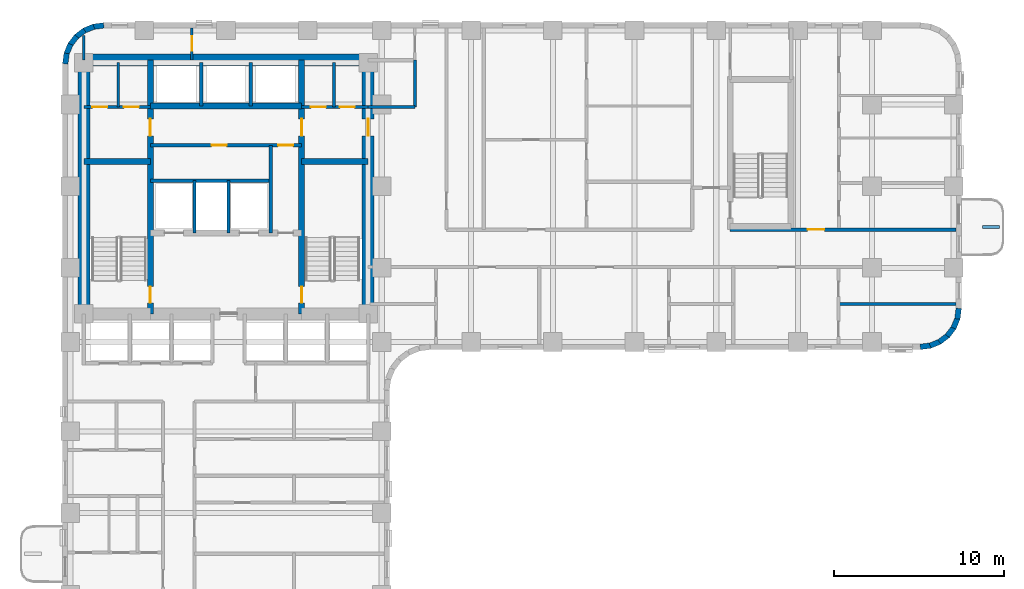
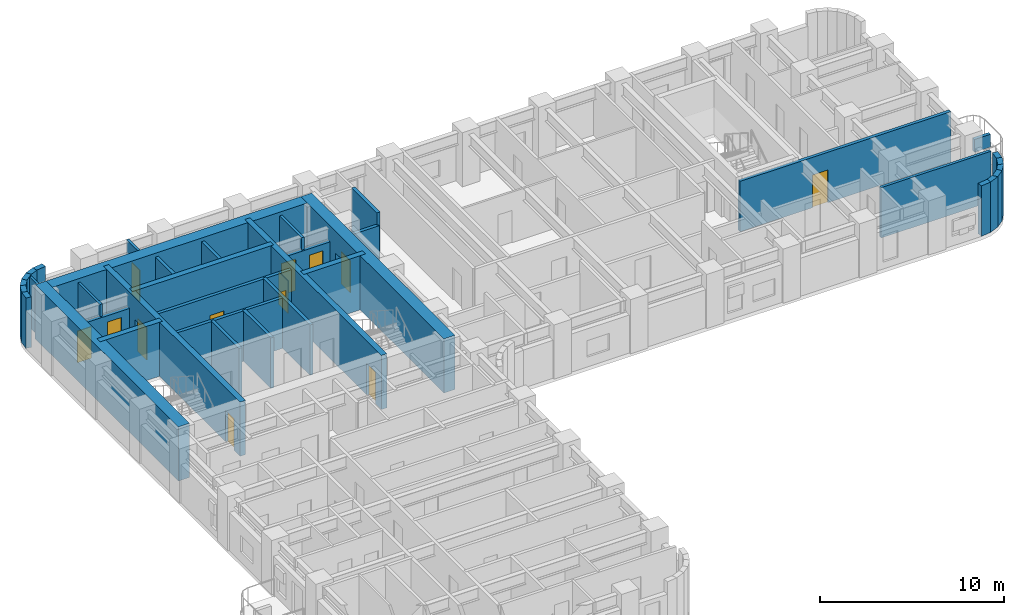
# One storey, part 6 of 12: 38 walls, 13 doors, 13 openings.
"""IFC4 building model written with IfcOpenShell, lengths in metres."""

from ifc_helpers import new_model, si_unit, direction, frame, frame_2d, origin, place, context, subcontext, project, spatial, rectangle, extrude, material, layer, layer_set, type_object, element, fill, save


model = new_model("IFC4")

# Units and contexts
model_context = context("Model", 3, precision=1e-05, world=origin(), true_north=direction((0.0, 1.0)))
body_context = subcontext(model_context, "Body", "Model", "MODEL_VIEW")
ifc_project = project(units=[si_unit("LENGTHUNIT", "METRE"), si_unit("AREAUNIT", "SQUARE_METRE"), si_unit("VOLUMEUNIT", "CUBIC_METRE"), si_unit("PLANEANGLEUNIT", "RADIAN"), si_unit("MASSUNIT", "GRAM", prefix="KILO")], contexts=[model_context])

# Site, building, storey
site_placement = place(None, origin())
site = spatial("IfcSite", under=ifc_project, at=site_placement, CompositionType="ELEMENT")
building_placement = place(site_placement, origin())
building = spatial("IfcBuilding", under=site, at=building_placement, Name="Orvandelia Arch Residences", CompositionType="ELEMENT")
storey_placement = place(building_placement, frame((0.0, 0.0, 43.0)))
storey = spatial("IfcBuildingStorey", under=building, at=storey_placement, Name="L10", CompositionType="ELEMENT", Elevation=43.0)

# Wall, openings, doors
ifc_material_1 = material(Name="Concrete C50/60", Category="concrete")
ifc_layer_1 = layer(ifc_material_1, 0.35009765625, Name="Concrete C50/60", Category="concrete")
ifc_layer_set_1 = layer_set([ifc_layer_1], Name="Concrete C50/60")
wall_type_1 = type_object("IfcWallType", Name="WL-CORE-350", PredefinedType="SHEAR", material=ifc_layer_set_1)
wall_1_placement = place(storey_placement, frame((9.9599609375, 30.89990234375, 0.0), z_axis=(0.0, 0.0, 1.0), x_axis=(0.0, 1.0, 0.0)))
wall_1 = element("IfcWall", 1, at=wall_1_placement, inside=storey, type_object=wall_type_1, Name="Core Shear Wall L10-WEB1", PredefinedType="SHEAR", context=body_context, shape_type="SweptSolid", body=[
    extrude(rectangle(XDim=14.900146484375, YDim=0.35009765625, at=frame_2d((7.4501953125, 0.0))), origin(), (0.0, 0.0, 1.0), 3.60009765625),
])
opening_1_placement = place(wall_1_placement, frame((0.64990234375, 0.0, 0.0)))
opening_1 = element("IfcOpeningElement", 2, at=opening_1_placement, cuts=wall_1, Name="Opening D7", PredefinedType="OPENING", context=body_context, shape_type="SweptSolid", body=[
    extrude(rectangle(XDim=0.949951171875, YDim=2.10009765625, at=frame_2d((0.47509765625, 1.050048828125))), frame((0.0, 0.18505859375, 0.0), z_axis=(0.0, -1.0, 0.0), x_axis=(1.0, 0.0, 0.0)), (0.0, 0.0, 1.0), 0.3701171875),
])
opening_2_placement = place(wall_1_placement, frame((10.449951171875, 0.0, 0.0)))
opening_2 = element("IfcOpeningElement", 3, at=opening_2_placement, cuts=wall_1, Name="Opening D6", PredefinedType="OPENING", context=body_context, shape_type="SweptSolid", body=[
    extrude(rectangle(XDim=1.0, YDim=2.14990234375, at=frame_2d((0.5, 1.074951171875))), frame((0.0, 0.18505859375, 0.0), z_axis=(0.0, -1.0, 0.0), x_axis=(1.0, 0.0, 0.0)), (0.0, 0.0, 1.0), 0.3701171875),
])
ifc_material_2 = material(Name="Smokeproof Painted Steel Fire Door", Category="steel")
door_type_1 = type_object("IfcDoorType", Name="DR-FD60-1000", OperationType="NOTDEFINED", PredefinedType="DOOR", material=ifc_material_2)
door_1_placement = place(opening_2_placement, origin())
door_1 = element("IfcDoor", 4, at=door_1_placement, inside=storey, type_object=door_type_1, Name="High-Rise Lift Hall West Vestibule Door L10", OperationType="SINGLE_SWING_LEFT", OverallHeight=2.14990234375, OverallWidth=1.0, PredefinedType="DOOR", context=body_context, shape_type="SweptSolid", body=[
    extrude(rectangle(XDim=1.0, YDim=2.14990234375, at=frame_2d((0.5, 1.074951171875))), frame((0.0, 0.02490234375, 0.0), z_axis=(0.0, -1.0, 0.0), x_axis=(1.0, 0.0, 0.0)), (0.0, 0.0, 1.0), 0.050048828125),
])
fill(opening_2, door_1)
ifc_material_3 = material(Name="Pressurised Stairwell Fire Door")
door_type_2 = type_object("IfcDoorType", Name="DR-STAIR-950", OperationType="NOTDEFINED", PredefinedType="DOOR", material=ifc_material_3)
door_2_placement = place(opening_1_placement, origin())
door_2 = element("IfcDoor", 5, at=door_2_placement, inside=storey, type_object=door_type_2, Name="Stairwell ST-1 Fire Door L10", OperationType="SINGLE_SWING_LEFT", OverallHeight=2.10009765625, OverallWidth=0.949951171875, PredefinedType="DOOR", context=body_context, shape_type="SweptSolid", body=[
    extrude(rectangle(XDim=0.949951171875, YDim=2.10009765625, at=frame_2d((0.47509765625, 1.050048828125))), frame((0.0, 0.02490234375, 0.0), z_axis=(0.0, -1.0, 0.0), x_axis=(1.0, 0.0, 0.0)), (0.0, 0.0, 1.0), 0.050048828125),
])
fill(opening_1, door_2)

wall_2_placement = place(storey_placement, frame((18.840087890625, 30.89990234375, 0.0), z_axis=(0.0, 0.0, 1.0), x_axis=(0.0, 1.0, 0.0)))
wall_2 = element("IfcWall", 6, at=wall_2_placement, inside=storey, type_object=wall_type_1, Name="Core Shear Wall L10-WEB2", PredefinedType="SHEAR", context=body_context, shape_type="SweptSolid", body=[
    extrude(rectangle(XDim=14.900146484375, YDim=0.35009765625, at=frame_2d((7.4501953125, 0.0))), origin(), (0.0, 0.0, 1.0), 3.60009765625),
])
opening_3_placement = place(wall_2_placement, frame((0.64990234375, 0.0, 0.0)))
opening_3 = element("IfcOpeningElement", 7, at=opening_3_placement, cuts=wall_2, Name="Opening D7", PredefinedType="OPENING", context=body_context, shape_type="SweptSolid", body=[
    extrude(rectangle(XDim=0.949951171875, YDim=2.10009765625, at=frame_2d((0.47509765625, 1.050048828125))), frame((0.0, 0.18505859375, 0.0), z_axis=(0.0, -1.0, 0.0), x_axis=(1.0, 0.0, 0.0)), (0.0, 0.0, 1.0), 0.3701171875),
])
opening_4_placement = place(wall_2_placement, frame((10.449951171875, 0.0, 0.0)))
opening_4 = element("IfcOpeningElement", 8, at=opening_4_placement, cuts=wall_2, Name="Opening D6", PredefinedType="OPENING", context=body_context, shape_type="SweptSolid", body=[
    extrude(rectangle(XDim=1.0, YDim=2.14990234375, at=frame_2d((0.5, 1.074951171875))), frame((0.0, 0.18505859375, 0.0), z_axis=(0.0, -1.0, 0.0), x_axis=(1.0, 0.0, 0.0)), (0.0, 0.0, 1.0), 0.3701171875),
])
door_3_placement = place(opening_4_placement, origin())
door_3 = element("IfcDoor", 9, at=door_3_placement, inside=storey, type_object=door_type_1, Name="High-Rise Lift Hall East Vestibule Door L10", OperationType="SINGLE_SWING_RIGHT", OverallHeight=2.14990234375, OverallWidth=1.0, PredefinedType="DOOR", context=body_context, shape_type="SweptSolid", body=[
    extrude(rectangle(XDim=1.0, YDim=2.14990234375, at=frame_2d((0.5, 1.074951171875))), frame((0.0, 0.02490234375, 0.0), z_axis=(0.0, -1.0, 0.0), x_axis=(1.0, 0.0, 0.0)), (0.0, 0.0, 1.0), 0.050048828125),
])
fill(opening_4, door_3)
door_4_placement = place(opening_3_placement, origin())
door_4 = element("IfcDoor", 10, at=door_4_placement, inside=storey, type_object=door_type_2, Name="Stairwell ST-2 Fire Door L10", OperationType="SINGLE_SWING_RIGHT", OverallHeight=2.10009765625, OverallWidth=0.949951171875, PredefinedType="DOOR", context=body_context, shape_type="SweptSolid", body=[
    extrude(rectangle(XDim=0.949951171875, YDim=2.10009765625, at=frame_2d((0.47509765625, 1.050048828125))), frame((0.0, 0.02490234375, 0.0), z_axis=(0.0, -1.0, 0.0), x_axis=(1.0, 0.0, 0.0)), (0.0, 0.0, 1.0), 0.050048828125),
])
fill(opening_3, door_4)

# Walls
for number, where, z_axis, x_axis, name in (
    (11, (6.050048828125, 39.85009765625, 0.0), (0.0, 0.0, 1.0), (1.0, 0.0, 0.0), "Core Shear Wall L10-HZ1"),
    (12, (18.840087890625, 39.85009765625, 0.0), (0.0, 0.0, 1.0), (1.0, 0.0, 0.0), "Core Shear Wall L10-HZ2"),
):
    element("IfcWall", number, at=place(storey_placement, frame(where, z_axis=z_axis, x_axis=x_axis)), inside=storey, type_object=wall_type_1, Name=name, PredefinedType="SHEAR", context=body_context, shape_type="SweptSolid", body=[
        extrude(rectangle(XDim=3.909912109375, YDim=0.35009765625, at=frame_2d((1.955078125, 0.0))), origin(), (0.0, 0.0, 1.0), 3.60009765625),
    ])
wall_3_placement = place(storey_placement, frame((9.9599609375, 43.10009765625, 0.0), z_axis=(0.0, 0.0, 1.0), x_axis=(1.0, 0.0, 0.0)))
element("IfcWall", 13, at=wall_3_placement, inside=storey, type_object=wall_type_1, Name="Core Shear Wall L10-HZ4", PredefinedType="SHEAR", context=body_context, shape_type="SweptSolid", body=[
    extrude(rectangle(XDim=8.880126953125, YDim=0.35009765625, at=frame_2d((4.43994140625, 0.0))), origin(), (0.0, 0.0, 1.0), 3.60009765625),
])
ifc_material_4 = material(Name="Concrete C80/95", Category="concrete")
ifc_layer_2 = layer(ifc_material_4, 0.699951171875, Name="Concrete C80/95", Category="concrete")
ifc_layer_set_2 = layer_set([ifc_layer_2], Name="Concrete C80/95")
wall_type_2 = type_object("IfcWallType", Name="WL-CORE-700", PredefinedType="SHEAR", material=ifc_layer_set_2)
wall_4_placement = place(storey_placement, frame((6.050048828125, 30.550048828125, 0.0), z_axis=(0.0, 0.0, 1.0), x_axis=(0.0, 1.0, 0.0)))
element("IfcWall", 14, at=wall_4_placement, inside=storey, type_object=wall_type_2, Name="Core Shear Wall L10-W", PredefinedType="SHEAR", context=body_context, shape_type="SweptSolid", body=[
    extrude(rectangle(XDim=15.599853515625, YDim=0.699951171875, at=frame_2d((7.7998046875, 0.0))), origin(), (0.0, 0.0, 1.0), 3.60009765625),
])

# Wall, opening, door
wall_5_placement = place(storey_placement, frame((22.75, 30.550048828125, 0.0), z_axis=(0.0, 0.0, 1.0), x_axis=(0.0, 1.0, 0.0)))
wall_5 = element("IfcWall", 15, at=wall_5_placement, inside=storey, type_object=wall_type_2, Name="Core Shear Wall L10-E", PredefinedType="SHEAR", context=body_context, shape_type="SweptSolid", body=[
    extrude(rectangle(XDim=15.599853515625, YDim=0.699951171875, at=frame_2d((7.7998046875, 0.0))), origin(), (0.0, 0.0, 1.0), 3.60009765625),
])
opening_5_placement = place(wall_5_placement, frame((10.800048828125, 0.0, 0.0)))
opening_5 = element("IfcOpeningElement", 16, at=opening_5_placement, cuts=wall_5, Name="Opening D6", PredefinedType="OPENING", context=body_context, shape_type="SweptSolid", body=[
    extrude(rectangle(XDim=1.0, YDim=2.14990234375, at=frame_2d((0.5, 1.074951171875))), frame((0.0, 0.35986328125, 0.0), z_axis=(0.0, -1.0, 0.0), x_axis=(1.0, 0.0, 0.0)), (0.0, 0.0, 1.0), 0.719970703125),
])
door_5_placement = place(opening_5_placement, origin())
door_5 = element("IfcDoor", 17, at=door_5_placement, inside=storey, type_object=door_type_1, Name="Core East Corridor Link Door L10", OperationType="SINGLE_SWING_LEFT", OverallHeight=2.14990234375, OverallWidth=1.0, PredefinedType="DOOR", context=body_context, shape_type="SweptSolid", body=[
    extrude(rectangle(XDim=1.0, YDim=2.14990234375, at=frame_2d((0.5, 1.074951171875))), frame((0.0, 0.02490234375, 0.0), z_axis=(0.0, -1.0, 0.0), x_axis=(1.0, 0.0, 0.0)), (0.0, 0.0, 1.0), 0.050048828125),
])
fill(opening_5, door_5)

# Wall
wall_6_placement = place(storey_placement, frame((6.050048828125, 45.800048828125, 0.0), z_axis=(0.0, 0.0, 1.0), x_axis=(1.0, 0.0, 0.0)))
element("IfcWall", 18, at=wall_6_placement, inside=storey, type_object=wall_type_2, Name="Core Shear Wall L10-N", PredefinedType="SHEAR", context=body_context, shape_type="SweptSolid", body=[
    extrude(rectangle(XDim=16.699951171875, YDim=0.699951171875, at=frame_2d((8.35009765625, 0.0))), origin(), (0.0, 0.0, 1.0), 3.60009765625),
])

# Wall, opening, door
ifc_material_5 = material(Name="Fire-Rated Corridor Partition")
ifc_layer_3 = layer(ifc_material_5, 0.199951171875, Name="Fire-Rated Corridor Partition")
ifc_layer_set_3 = layer_set([ifc_layer_3], Name="Fire-Rated Corridor Partition")
wall_type_3 = type_object("IfcWallType", Name="WL-CORR-200", PredefinedType="PARTITIONING", material=ifc_layer_set_3)
wall_7_placement = place(storey_placement, frame((44.02001953125, 35.85009765625, 0.0), z_axis=(0.0, 0.0, 1.0), x_axis=(1.0, 0.0, 0.0)))
wall_7 = element("IfcWall", 19, at=wall_7_placement, inside=storey, type_object=wall_type_3, Name="Interior Partition Wall WL-L10-ES-N2", PredefinedType="PARTITIONING", context=body_context, shape_type="SweptSolid", body=[
    extrude(rectangle(XDim=13.260009765625, YDim=0.199951171875, at=frame_2d((6.6298828125, 0.0))), origin(), (0.0, 0.0, 1.0), 3.35009765625),
])
opening_6_placement = place(wall_7_placement, frame((4.548583984375, 0.0, 0.0)))
opening_6 = element("IfcOpeningElement", 20, at=opening_6_placement, cuts=wall_7, Name="Opening D1", PredefinedType="OPENING", context=body_context, shape_type="SweptSolid", body=[
    extrude(rectangle(XDim=0.97998046875, YDim=2.179931640625, at=frame_2d((0.489990234375, 1.08984375))), frame((0.0, 0.10986328125, 0.0), z_axis=(0.0, -1.0, 0.0), x_axis=(1.0, 0.0, 0.0)), (0.0, 0.0, 1.0), 0.219970703125),
])
ifc_material_6 = material(Name="Solid-Core Timber Acoustic Fire Door", Category="wood")
door_type_3 = type_object("IfcDoorType", Name="DR-ENT-980", OperationType="NOTDEFINED", PredefinedType="DOOR", material=ifc_material_6)
door_6_placement = place(opening_6_placement, origin())
door_6 = element("IfcDoor", 21, at=door_6_placement, inside=storey, type_object=door_type_3, Name="Unit L10-12 Entrance Door", OperationType="SINGLE_SWING_RIGHT", OverallHeight=2.179931640625, OverallWidth=0.97998046875, PredefinedType="DOOR", context=body_context, shape_type="SweptSolid", body=[
    extrude(rectangle(XDim=0.97998046875, YDim=2.179931640625, at=frame_2d((0.489990234375, 1.08984375))), frame((0.0, 0.02490234375, 0.0), z_axis=(0.0, -1.0, 0.0), x_axis=(1.0, 0.0, 0.0)), (0.0, 0.0, 1.0), 0.050048828125),
])
fill(opening_6, door_6)

# Walls
wall_8_placement = place(storey_placement, frame((22.75, 43.050048828125, 0.0), z_axis=(0.0, 0.0, 1.0), x_axis=(1.0, 0.0, 0.0)))
element("IfcWall", 22, at=wall_8_placement, inside=storey, type_object=wall_type_3, Name="Interior Partition Wall WL-L10-ES-LS", PredefinedType="PARTITIONING", context=body_context, shape_type="SweptSolid", body=[
    extrude(rectangle(XDim=2.75, YDim=0.199951171875, at=frame_2d((1.375, 0.0))), origin(), (0.0, 0.0, 1.0), 2.530029296875),
])
wall_9_placement = place(storey_placement, frame((25.5, 43.050048828125, 0.0), z_axis=(0.0, 0.0, 1.0), x_axis=(0.0, 1.0, 0.0)))
element("IfcWall", 23, at=wall_9_placement, inside=storey, type_object=wall_type_3, Name="Interior Partition Wall WL-L10-ES-LW2", PredefinedType="PARTITIONING", context=body_context, shape_type="SweptSolid", body=[
    extrude(rectangle(XDim=2.75, YDim=0.199951171875, at=frame_2d((1.375, 0.0))), origin(), (0.0, 0.0, 1.0), 3.35009765625),
])
ifc_material_7 = material(Name="Precast concrete C40/50", Category="concrete")
ifc_layer_4 = layer(ifc_material_7, 0.320068359375, Name="Precast concrete C40/50", Category="concrete")
ifc_layer_set_4 = layer_set([ifc_layer_4], Name="Precast concrete C40/50")
wall_type_4 = type_object("IfcWallType", Name="WL-EXT-STONE-320", PredefinedType="STANDARD", material=ifc_layer_set_4)
for number, where, z_axis, x_axis, name in (
    (24, (4.95849609375, 45.5791015625, 0.0), (0.0, 0.0, 1.0), (0.130555323746, 0.9914410257, 0.0), "Coral-Limestone Precast Facade Wall L10-001"),
    (25, (5.029541015625, 46.159912109375, 0.0), (0.0, 0.0, 1.0), (0.382650053678, 0.92389335771, 0.0), "Coral-Limestone Precast Facade Wall L10-002"),
):
    element("IfcWall", number, at=place(storey_placement, frame(where, z_axis=z_axis, x_axis=x_axis)), inside=storey, type_object=wall_type_4, Name=name, PredefinedType="STANDARD", context=body_context, shape_type="SweptSolid", body=[
        extrude(rectangle(XDim=0.62646484375, YDim=0.320068359375, at=frame_2d((0.313232421875, 0.0))), origin(), (0.0, 0.0, 1.0), 3.35009765625),
    ])
wall_10_placement = place(storey_placement, frame((5.248291015625, 46.70263671875, 0.0), z_axis=(0.0, 0.0, 1.0), x_axis=(0.608938521285, 0.7932174212, 0.0)))
element("IfcWall", 26, at=wall_10_placement, inside=storey, type_object=wall_type_4, Name="Coral-Limestone Precast Facade Wall L10-003", PredefinedType="STANDARD", context=body_context, shape_type="SweptSolid", body=[
    extrude(rectangle(XDim=0.626708984375, YDim=0.320068359375, at=frame_2d((0.3134765625, 0.0))), origin(), (0.0, 0.0, 1.0), 3.35009765625),
])
wall_11_placement = place(storey_placement, frame((5.600341796875, 47.170166015625, 0.0), z_axis=(0.0, 0.0, 1.0), x_axis=(0.793405610854, 0.608693302629, 0.0)))
element("IfcWall", 27, at=wall_11_placement, inside=storey, type_object=wall_type_4, Name="Coral-Limestone Precast Facade Wall L10-004", PredefinedType="STANDARD", context=body_context, shape_type="SweptSolid", body=[
    extrude(rectangle(XDim=0.62646484375, YDim=0.320068359375, at=frame_2d((0.313232421875, 0.0))), origin(), (0.0, 0.0, 1.0), 3.35009765625),
])
wall_12_placement = place(storey_placement, frame((6.061279296875, 47.53076171875, 0.0), z_axis=(0.0, 0.0, 1.0), x_axis=(0.923836271867, 0.382787856107, 0.0)))
element("IfcWall", 28, at=wall_12_placement, inside=storey, type_object=wall_type_4, Name="Coral-Limestone Precast Facade Wall L10-005", PredefinedType="STANDARD", context=body_context, shape_type="SweptSolid", body=[
    extrude(rectangle(XDim=0.626220703125, YDim=0.320068359375, at=frame_2d((0.31298828125, 0.0))), origin(), (0.0, 0.0, 1.0), 3.35009765625),
])
for number, where, z_axis, x_axis, name in (
    (29, (6.599609375, 47.759521484375, 0.0), (0.0, 0.0, 1.0), (0.991447664465, 0.130504898859, 0.0), "Coral-Limestone Precast Facade Wall L10-006"),
    (30, (57.44140625, 31.220947265625, 0.0), (0.0, 0.0, 1.0), (-0.130504898859, -0.991447664465, 0.0), "Coral-Limestone Precast Facade Wall L10-015"),
):
    element("IfcWall", number, at=place(storey_placement, frame(where, z_axis=z_axis, x_axis=x_axis)), inside=storey, type_object=wall_type_4, Name=name, PredefinedType="STANDARD", context=body_context, shape_type="SweptSolid", body=[
        extrude(rectangle(XDim=0.626708984375, YDim=0.320068359375, at=frame_2d((0.3134765625, 0.0))), origin(), (0.0, 0.0, 1.0), 3.35009765625),
    ])
wall_13_placement = place(storey_placement, frame((57.370361328125, 30.639892578125, 0.0), z_axis=(0.0, 0.0, 1.0), x_axis=(-0.382787856107, -0.923836271867, 0.0)))
element("IfcWall", 31, at=wall_13_placement, inside=storey, type_object=wall_type_4, Name="Coral-Limestone Precast Facade Wall L10-016", PredefinedType="STANDARD", context=body_context, shape_type="SweptSolid", body=[
    extrude(rectangle(XDim=0.626220703125, YDim=0.320068359375, at=frame_2d((0.31298828125, 0.0))), origin(), (0.0, 0.0, 1.0), 3.35009765625),
])
wall_14_placement = place(storey_placement, frame((57.151611328125, 30.097412109375, 0.0), z_axis=(0.0, 0.0, 1.0), x_axis=(-0.608693302629, -0.793405610854, 0.0)))
element("IfcWall", 32, at=wall_14_placement, inside=storey, type_object=wall_type_4, Name="Coral-Limestone Precast Facade Wall L10-017", PredefinedType="STANDARD", context=body_context, shape_type="SweptSolid", body=[
    extrude(rectangle(XDim=0.62646484375, YDim=0.320068359375, at=frame_2d((0.313232421875, 0.0))), origin(), (0.0, 0.0, 1.0), 3.35009765625),
])
wall_15_placement = place(storey_placement, frame((56.7998046875, 29.6298828125, 0.0), z_axis=(0.0, 0.0, 1.0), x_axis=(-0.793361818833, -0.608750379399, 0.0)))
element("IfcWall", 33, at=wall_15_placement, inside=storey, type_object=wall_type_4, Name="Coral-Limestone Precast Facade Wall L10-018", PredefinedType="STANDARD", context=body_context, shape_type="SweptSolid", body=[
    extrude(rectangle(XDim=0.626953125, YDim=0.320068359375, at=frame_2d((0.3134765625, 0.0))), origin(), (0.0, 0.0, 1.0), 3.35009765625),
])
for number, where, z_axis, x_axis, name in (
    (34, (56.3388671875, 29.269287109375, 0.0), (0.0, 0.0, 1.0), (-0.92389335771, -0.382650053678, 0.0), "Coral-Limestone Precast Facade Wall L10-019"),
    (35, (55.80029296875, 29.040283203125, 0.0), (0.0, 0.0, 1.0), (-0.9914410257, -0.130555323746, 0.0), "Coral-Limestone Precast Facade Wall L10-020"),
):
    element("IfcWall", number, at=place(storey_placement, frame(where, z_axis=z_axis, x_axis=x_axis)), inside=storey, type_object=wall_type_4, Name=name, PredefinedType="STANDARD", context=body_context, shape_type="SweptSolid", body=[
        extrude(rectangle(XDim=0.62646484375, YDim=0.320068359375, at=frame_2d((0.313232421875, 0.0))), origin(), (0.0, 0.0, 1.0), 3.35009765625),
    ])
ifc_material_8 = material(Name="Acoustic Gypsum Stud Partition")
ifc_layer_5 = layer(ifc_material_8, 0.14990234375, Name="Acoustic Gypsum Stud Partition")
ifc_layer_set_5 = layer_set([ifc_layer_5], Name="Acoustic Gypsum Stud Partition")
wall_type_5 = type_object("IfcWallType", Name="WL-PART-150", PredefinedType="PARTITIONING", material=ifc_layer_set_5)
wall_16_placement = place(storey_placement, frame((8.06005859375, 43.050048828125, 0.0), z_axis=(0.0, 0.0, 1.0), x_axis=(0.0, 1.0, 0.0)))
element("IfcWall", 36, at=wall_16_placement, inside=storey, type_object=wall_type_5, Name="Interior Partition Wall WL-L10-CRELC-M", PredefinedType="PARTITIONING", context=body_context, shape_type="SweptSolid", body=[
    extrude(rectangle(XDim=2.599853515625, YDim=0.14990234375, at=frame_2d((1.2998046875, 0.0))), origin(), (0.0, 0.0, 1.0), 3.35009765625),
])
wall_17_placement = place(storey_placement, frame((6.050048828125, 45.800048828125, 0.0), z_axis=(0.0, 0.0, 1.0), x_axis=(0.0, 1.0, 0.0)))
element("IfcWall", 37, at=wall_17_placement, inside=storey, type_object=wall_type_5, Name="Interior Partition Wall WL-L10-NC-W6", PredefinedType="PARTITIONING", context=body_context, shape_type="SweptSolid", body=[
    extrude(rectangle(XDim=1.4599609375, YDim=0.14990234375, at=frame_2d((0.72998046875, 0.0))), origin(), (0.0, 0.0, 1.0), 3.35009765625),
])

# Wall, opening, door
wall_18_placement = place(storey_placement, frame((12.39990234375, 45.800048828125, 0.0), z_axis=(0.0, 0.0, 1.0), x_axis=(0.0, 1.0, 0.0)))
wall_18 = element("IfcWall", 38, at=wall_18_placement, inside=storey, type_object=wall_type_5, Name="Interior Partition Wall WL-L10-NC-M", PredefinedType="PARTITIONING", context=body_context, shape_type="SweptSolid", body=[
    extrude(rectangle(XDim=1.8798828125, YDim=0.14990234375, at=frame_2d((0.93994140625, 0.0))), origin(), (0.0, 0.0, 1.0), 3.35009765625),
])
opening_7_placement = place(wall_18_placement, frame((0.550048828125, 0.0, 0.0)))
opening_7 = element("IfcOpeningElement", 39, at=opening_7_placement, cuts=wall_18, Name="Opening D4", PredefinedType="OPENING", context=body_context, shape_type="SweptSolid", body=[
    extrude(rectangle(XDim=0.860107421875, YDim=2.10009765625, at=frame_2d((0.43017578125, 1.050048828125))), frame((0.0, 0.0849609375, 0.0), z_axis=(0.0, -1.0, 0.0), x_axis=(1.0, 0.0, 0.0)), (0.0, 0.0, 1.0), 0.169921875),
])
ifc_material_9 = material(Name="Moisture-Sealed Timber Bathroom Door", Category="wood")
door_type_4 = type_object("IfcDoorType", Name="DR-WET-900", OperationType="NOTDEFINED", PredefinedType="DOOR", material=ifc_material_9)
door_7_placement = place(opening_7_placement, origin())
door_7 = element("IfcDoor", 40, at=door_7_placement, inside=storey, type_object=door_type_4, Name="DR-L10-NCS1", OperationType="SINGLE_SWING_LEFT", OverallHeight=2.10009765625, OverallWidth=0.860107421875, PredefinedType="DOOR", context=body_context, shape_type="SweptSolid", body=[
    extrude(rectangle(XDim=0.860107421875, YDim=2.10009765625, at=frame_2d((0.43017578125, 1.050048828125))), frame((0.0, 0.02490234375, 0.0), z_axis=(0.0, -1.0, 0.0), x_axis=(1.0, 0.0, 0.0)), (0.0, 0.0, 1.0), 0.050048828125),
])
fill(opening_7, door_7)

# Walls
ifc_layer_6 = layer(ifc_material_7, 0.199951171875, Name="Precast concrete C40/50", Category="concrete")
ifc_layer_set_6 = layer_set([ifc_layer_6], Name="Precast concrete C40/50")
wall_type_6 = type_object("IfcWallType", Name="WL-PLANTER-200", PredefinedType="MOVABLE", material=ifc_layer_set_6)
wall_19_placement = place(storey_placement, frame((58.85009765625, 36.0, 0.0), z_axis=(0.0, 0.0, 1.0), x_axis=(1.0, 0.0, 0.0)))
element("IfcWall", 41, at=wall_19_placement, inside=storey, type_object=wall_type_6, Name="Balcony Precast Tree Planter BAL-L10-E1", PredefinedType="MOVABLE", context=body_context, shape_type="SweptSolid", body=[
    extrude(rectangle(XDim=1.0, YDim=0.199951171875, at=frame_2d((0.5, 0.0))), origin(), (0.0, 0.0, 1.0), 0.85009765625),
])
ifc_material_10 = material(Name="Fire-Rated Shaft Enclosure Wall")
ifc_layer_7 = layer(ifc_material_10, 0.199951171875, Name="Fire-Rated Shaft Enclosure Wall")
ifc_layer_set_7 = layer_set([ifc_layer_7], Name="Fire-Rated Shaft Enclosure Wall")
wall_type_7 = type_object("IfcWallType", Name="WL-SHAFT-200", PredefinedType="POLYGONAL", material=ifc_layer_set_7)
wall_20_placement = place(storey_placement, frame((9.9599609375, 38.719970703125, 0.0), z_axis=(0.0, 0.0, 1.0), x_axis=(1.0, 0.0, 0.0)))
element("IfcWall", 42, at=wall_20_placement, inside=storey, type_object=wall_type_7, Name="Interior Partition Wall WL-L10-FLN", PredefinedType="POLYGONAL", context=body_context, shape_type="SweptSolid", body=[
    extrude(rectangle(XDim=7.06005859375, YDim=0.199951171875, at=frame_2d((3.530029296875, 0.0))), origin(), (0.0, 0.0, 1.0), 3.35009765625),
])
for number, where, z_axis, x_axis, name in (
    (43, (12.550048828125, 35.64990234375, 0.0), (0.0, 0.0, 1.0), (0.0, 1.0, 0.0), "Interior Partition Wall WL-L10-FLM1"),
    (44, (14.550048828125, 35.64990234375, 0.0), (0.0, 0.0, 1.0), (0.0, 1.0, 0.0), "Interior Partition Wall WL-L10-FLM2"),
):
    element("IfcWall", number, at=place(storey_placement, frame(where, z_axis=z_axis, x_axis=x_axis)), inside=storey, type_object=wall_type_7, Name=name, PredefinedType="POLYGONAL", context=body_context, shape_type="SweptSolid", body=[
        extrude(rectangle(XDim=3.070068359375, YDim=0.199951171875, at=frame_2d((1.53515625, 0.0))), origin(), (0.0, 0.0, 1.0), 3.35009765625),
    ])
wall_21_placement = place(storey_placement, frame((17.02001953125, 35.64990234375, 0.0), z_axis=(0.0, 0.0, 1.0), x_axis=(0.0, 1.0, 0.0)))
element("IfcWall", 45, at=wall_21_placement, inside=storey, type_object=wall_type_7, Name="Interior Partition Wall WL-L10-FLM3", PredefinedType="POLYGONAL", context=body_context, shape_type="SweptSolid", body=[
    extrude(rectangle(XDim=5.150146484375, YDim=0.199951171875, at=frame_2d((2.5751953125, 0.0))), origin(), (0.0, 0.0, 1.0), 3.35009765625),
])

# Wall, openings, doors
wall_22_placement = place(storey_placement, frame((9.9599609375, 40.800048828125, 0.0), z_axis=(0.0, 0.0, 1.0), x_axis=(1.0, 0.0, 0.0)))
wall_22 = element("IfcWall", 46, at=wall_22_placement, inside=storey, type_object=wall_type_7, Name="Interior Partition Wall WL-L10-HLH-S", PredefinedType="POLYGONAL", context=body_context, shape_type="SweptSolid", body=[
    extrude(rectangle(XDim=8.880126953125, YDim=0.199951171875, at=frame_2d((4.43994140625, 0.0))), origin(), (0.0, 0.0, 1.0), 3.35009765625),
])
opening_8_placement = place(wall_22_placement, frame((7.5, 0.0, 0.0)))
opening_8 = element("IfcOpeningElement", 47, at=opening_8_placement, cuts=wall_22, Name="Opening D5", PredefinedType="OPENING", context=body_context, shape_type="SweptSolid", body=[
    extrude(rectangle(XDim=0.8798828125, YDim=2.10009765625, at=frame_2d((0.43994140625, 1.050048828125))), frame((0.0, 0.10986328125, 0.0), z_axis=(0.0, -1.0, 0.0), x_axis=(1.0, 0.0, 0.0)), (0.0, 0.0, 1.0), 0.219970703125),
])
opening_9_placement = place(wall_22_placement, frame((3.60009765625, 0.0, 0.0)))
opening_9 = element("IfcOpeningElement", 48, at=opening_9_placement, cuts=wall_22, Name="Opening D5", PredefinedType="OPENING", context=body_context, shape_type="SweptSolid", body=[
    extrude(rectangle(XDim=0.8798828125, YDim=2.10009765625, at=frame_2d((0.43994140625, 1.050048828125))), frame((0.0, 0.10986328125, 0.0), z_axis=(0.0, -1.0, 0.0), x_axis=(1.0, 0.0, 0.0)), (0.0, 0.0, 1.0), 0.219970703125),
])
ifc_material_11 = material(Name="Painted Galvanised Steel Service Door", Category="steel")
door_type_5 = type_object("IfcDoorType", Name="DR-SRV-880", OperationType="NOTDEFINED", PredefinedType="DOOR", material=ifc_material_11)
door_8_placement = place(opening_8_placement, origin())
door_8 = element("IfcDoor", 49, at=door_8_placement, inside=storey, type_object=door_type_5, Name="Core Stairway Passage North Fire Door L10", OperationType="SINGLE_SWING_RIGHT", OverallHeight=2.10009765625, OverallWidth=0.8798828125, PredefinedType="DOOR", context=body_context, shape_type="SweptSolid", body=[
    extrude(rectangle(XDim=0.8798828125, YDim=2.10009765625, at=frame_2d((0.43994140625, 1.050048828125))), frame((0.0, 0.02490234375, 0.0), z_axis=(0.0, -1.0, 0.0), x_axis=(1.0, 0.0, 0.0)), (0.0, 0.0, 1.0), 0.050048828125),
])
fill(opening_8, door_8)
door_9_placement = place(opening_9_placement, origin())
door_9 = element("IfcDoor", 50, at=door_9_placement, inside=storey, type_object=door_type_5, Name="DR-L10-CSA1", OperationType="SINGLE_SWING_LEFT", OverallHeight=2.10009765625, OverallWidth=0.8798828125, PredefinedType="DOOR", context=body_context, shape_type="SweptSolid", body=[
    extrude(rectangle(XDim=0.8798828125, YDim=2.10009765625, at=frame_2d((0.43994140625, 1.050048828125))), frame((0.0, 0.02490234375, 0.0), z_axis=(0.0, -1.0, 0.0), x_axis=(1.0, 0.0, 0.0)), (0.0, 0.0, 1.0), 0.050048828125),
])
fill(opening_9, door_9)

wall_23_placement = place(storey_placement, frame((18.840087890625, 43.050048828125, 0.0), z_axis=(0.0, 0.0, 1.0), x_axis=(1.0, 0.0, 0.0)))
wall_23 = element("IfcWall", 51, at=wall_23_placement, inside=storey, type_object=wall_type_7, Name="Interior Partition Wall WL-L10-HLE-N", PredefinedType="POLYGONAL", context=body_context, shape_type="SweptSolid", body=[
    extrude(rectangle(XDim=3.909912109375, YDim=0.199951171875, at=frame_2d((1.955078125, 0.0))), origin(), (0.0, 0.0, 1.0), 2.530029296875),
])
opening_10_placement = place(wall_23_placement, frame((0.550048828125, 0.0, 0.0)))
opening_10 = element("IfcOpeningElement", 52, at=opening_10_placement, cuts=wall_23, Name="Opening D5", PredefinedType="OPENING", context=body_context, shape_type="SweptSolid", body=[
    extrude(rectangle(XDim=0.8798828125, YDim=2.10009765625, at=frame_2d((0.43994140625, 1.050048828125))), frame((0.0, 0.10986328125, 0.0), z_axis=(0.0, -1.0, 0.0), x_axis=(1.0, 0.0, 0.0)), (0.0, 0.0, 1.0), 0.219970703125),
])
opening_11_placement = place(wall_23_placement, frame((2.25, 0.0, 0.0)))
opening_11 = element("IfcOpeningElement", 53, at=opening_11_placement, cuts=wall_23, Name="Opening D4", PredefinedType="OPENING", context=body_context, shape_type="SweptSolid", body=[
    extrude(rectangle(XDim=0.860107421875, YDim=2.10009765625, at=frame_2d((0.43017578125, 1.050048828125))), frame((0.0, 0.10986328125, 0.0), z_axis=(0.0, -1.0, 0.0), x_axis=(1.0, 0.0, 0.0)), (0.0, 0.0, 1.0), 0.219970703125),
])
door_10_placement = place(opening_10_placement, origin())
door_10 = element("IfcDoor", 54, at=door_10_placement, inside=storey, type_object=door_type_5, Name="DR-L10-CSB1", OperationType="SINGLE_SWING_LEFT", OverallHeight=2.10009765625, OverallWidth=0.8798828125, PredefinedType="DOOR", context=body_context, shape_type="SweptSolid", body=[
    extrude(rectangle(XDim=0.8798828125, YDim=2.10009765625, at=frame_2d((0.43994140625, 1.050048828125))), frame((0.0, 0.02490234375, 0.0), z_axis=(0.0, -1.0, 0.0), x_axis=(1.0, 0.0, 0.0)), (0.0, 0.0, 1.0), 0.050048828125),
])
fill(opening_10, door_10)
door_11_placement = place(opening_11_placement, origin())
door_11 = element("IfcDoor", 55, at=door_11_placement, inside=storey, type_object=door_type_4, Name="DR-L10-CSB2", OperationType="SINGLE_SWING_RIGHT", OverallHeight=2.10009765625, OverallWidth=0.860107421875, PredefinedType="DOOR", context=body_context, shape_type="SweptSolid", body=[
    extrude(rectangle(XDim=0.860107421875, YDim=2.10009765625, at=frame_2d((0.43017578125, 1.050048828125))), frame((0.0, 0.02490234375, 0.0), z_axis=(0.0, -1.0, 0.0), x_axis=(1.0, 0.0, 0.0)), (0.0, 0.0, 1.0), 0.050048828125),
])
fill(opening_11, door_11)

wall_24_placement = place(storey_placement, frame((6.050048828125, 43.050048828125, 0.0), z_axis=(0.0, 0.0, 1.0), x_axis=(1.0, 0.0, 0.0)))
wall_24 = element("IfcWall", 56, at=wall_24_placement, inside=storey, type_object=wall_type_7, Name="Interior Partition Wall WL-L10-HLW-N", PredefinedType="POLYGONAL", context=body_context, shape_type="SweptSolid", body=[
    extrude(rectangle(XDim=3.909912109375, YDim=0.199951171875, at=frame_2d((1.955078125, 0.0))), origin(), (0.0, 0.0, 1.0), 2.530029296875),
])
opening_12_placement = place(wall_24_placement, frame((0.5, 0.0, 0.0)))
opening_12 = element("IfcOpeningElement", 57, at=opening_12_placement, cuts=wall_24, Name="Opening D5", PredefinedType="OPENING", context=body_context, shape_type="SweptSolid", body=[
    extrude(rectangle(XDim=0.8798828125, YDim=2.10009765625, at=frame_2d((0.43994140625, 1.050048828125))), frame((0.0, 0.10986328125, 0.0), z_axis=(0.0, -1.0, 0.0), x_axis=(1.0, 0.0, 0.0)), (0.0, 0.0, 1.0), 0.219970703125),
])
opening_13_placement = place(wall_24_placement, frame((2.35009765625, 0.0, 0.0)))
opening_13 = element("IfcOpeningElement", 58, at=opening_13_placement, cuts=wall_24, Name="Opening D5", PredefinedType="OPENING", context=body_context, shape_type="SweptSolid", body=[
    extrude(rectangle(XDim=0.8798828125, YDim=2.10009765625, at=frame_2d((0.43994140625, 1.050048828125))), frame((0.0, 0.10986328125, 0.0), z_axis=(0.0, -1.0, 0.0), x_axis=(1.0, 0.0, 0.0)), (0.0, 0.0, 1.0), 0.219970703125),
])
door_12_placement = place(opening_12_placement, origin())
door_12 = element("IfcDoor", 59, at=door_12_placement, inside=storey, type_object=door_type_5, Name="DR-L10-CRELC1", OperationType="SINGLE_SWING_LEFT", OverallHeight=2.10009765625, OverallWidth=0.8798828125, PredefinedType="DOOR", context=body_context, shape_type="SweptSolid", body=[
    extrude(rectangle(XDim=0.8798828125, YDim=2.10009765625, at=frame_2d((0.43994140625, 1.050048828125))), frame((0.0, 0.02490234375, 0.0), z_axis=(0.0, -1.0, 0.0), x_axis=(1.0, 0.0, 0.0)), (0.0, 0.0, 1.0), 0.050048828125),
])
fill(opening_12, door_12)
door_13_placement = place(opening_13_placement, origin())
door_13 = element("IfcDoor", 60, at=door_13_placement, inside=storey, type_object=door_type_5, Name="DR-L10-CRELC2", OperationType="SINGLE_SWING_RIGHT", OverallHeight=2.10009765625, OverallWidth=0.8798828125, PredefinedType="DOOR", context=body_context, shape_type="SweptSolid", body=[
    extrude(rectangle(XDim=0.8798828125, YDim=2.10009765625, at=frame_2d((0.43994140625, 1.050048828125))), frame((0.0, 0.02490234375, 0.0), z_axis=(0.0, -1.0, 0.0), x_axis=(1.0, 0.0, 0.0)), (0.0, 0.0, 1.0), 0.050048828125),
])
fill(opening_13, door_13)

# Walls
for number, where, z_axis, x_axis, name in (
    (61, (12.949951171875, 43.10009765625, 0.0), (0.0, 0.0, 1.0), (0.0, 1.0, 0.0), "Interior Partition Wall WL-L10-PHD1"),
    (62, (15.85009765625, 43.10009765625, 0.0), (0.0, 0.0, 1.0), (0.0, 1.0, 0.0), "Interior Partition Wall WL-L10-PHD2"),
):
    element("IfcWall", number, at=place(storey_placement, frame(where, z_axis=z_axis, x_axis=x_axis)), inside=storey, type_object=wall_type_7, Name=name, PredefinedType="POLYGONAL", context=body_context, shape_type="SweptSolid", body=[
        extrude(rectangle(XDim=2.5498046875, YDim=0.199951171875, at=frame_2d((1.27490234375, 0.0))), origin(), (0.0, 0.0, 1.0), 3.35009765625),
    ])
ifc_material_12 = material(Name="Moisture-Resistant Plumbing Wall")
ifc_layer_8 = layer(ifc_material_12, 0.179931640625, Name="Moisture-Resistant Plumbing Wall")
ifc_layer_set_8 = layer_set([ifc_layer_8], Name="Moisture-Resistant Plumbing Wall")
wall_type_8 = type_object("IfcWallType", Name="WL-WET-180", PredefinedType="PLUMBINGWALL", material=ifc_layer_set_8)
wall_25_placement = place(storey_placement, frame((20.75, 43.050048828125, 0.0), z_axis=(0.0, 0.0, 1.0), x_axis=(0.0, 1.0, 0.0)))
element("IfcWall", 63, at=wall_25_placement, inside=storey, type_object=wall_type_8, Name="Interior Partition Wall WL-L10-CSB-1", PredefinedType="PLUMBINGWALL", context=body_context, shape_type="SweptSolid", body=[
    extrude(rectangle(XDim=2.599853515625, YDim=0.179931640625, at=frame_2d((1.2998046875, 0.0))), origin(), (0.0, 0.0, 1.0), 3.35009765625),
])
wall_26_placement = place(storey_placement, frame((50.3798828125, 31.485107421875, 0.0), z_axis=(0.0, 0.0, 1.0), x_axis=(1.0, 0.0, 0.0)))
element("IfcWall", 64, at=wall_26_placement, inside=storey, type_object=wall_type_8, Name="Interior Partition Wall WL-L10-U10-H1", PredefinedType="PLUMBINGWALL", context=body_context, shape_type="SweptSolid", body=[
    extrude(rectangle(XDim=6.900146484375, YDim=0.179931640625, at=frame_2d((3.4501953125, 0.0))), origin(), (0.0, 0.0, 1.0), 3.35009765625),
])

save(model, "model.ifc")
